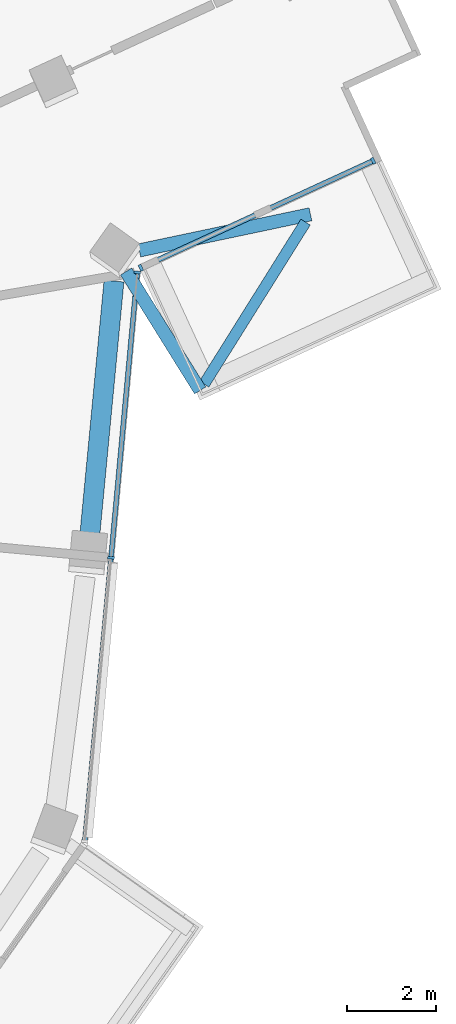
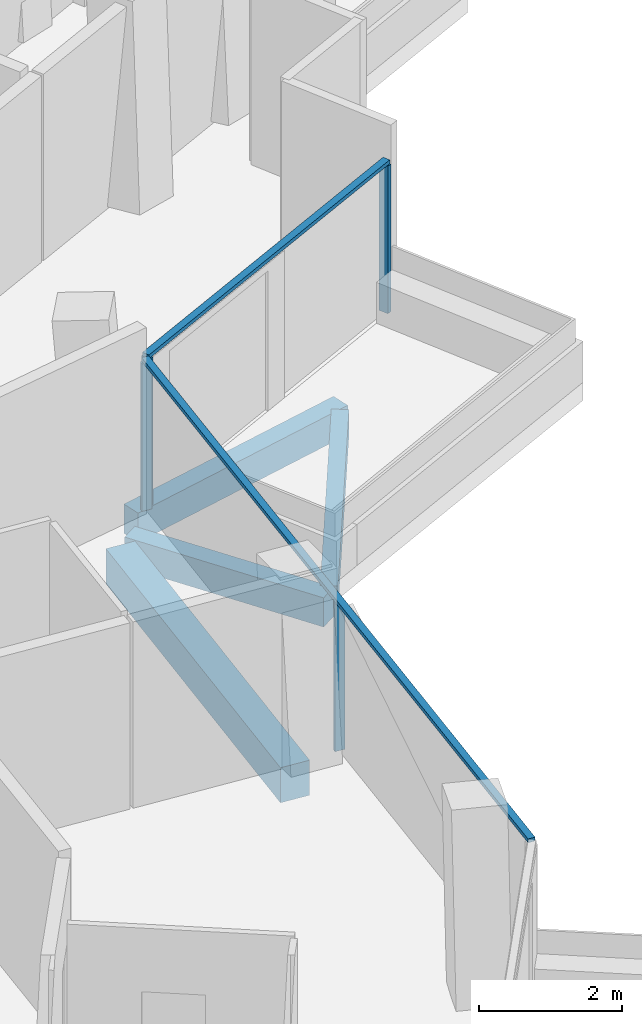
# One storey, part 8 of 23: 6 members, 4 beams, 2 elements without a shape of their own.
"""IFC4 building model written with IfcOpenShell, lengths in metres."""

from ifc_helpers import new_model, si_unit, direction, frame, origin, origin_2d, place, context, subcontext, project, spatial, rectangle, extrude, material, layer, layer_set, material_profile, profile_set, type_object, element, aggregate, save


model = new_model("IFC4")

# Units and contexts
model_context = context("Model", 3, precision=1e-05, world=origin(), true_north=direction((0.0, 1.0)))
body_context = subcontext(model_context, "Body", "Model", "MODEL_VIEW")
ifc_project = project(units=[si_unit("LENGTHUNIT", "METRE"), si_unit("AREAUNIT", "SQUARE_METRE"), si_unit("VOLUMEUNIT", "CUBIC_METRE"), si_unit("PLANEANGLEUNIT", "RADIAN"), si_unit("MASSUNIT", "GRAM", prefix="KILO")], contexts=[model_context])

# Site, building, storey
site_placement = place(None, origin())
site = spatial("IfcSite", under=ifc_project, at=site_placement, CompositionType="ELEMENT")
building_placement = place(site_placement, origin())
building = spatial("IfcBuilding", under=site, at=building_placement, Name="Verdalira Terraces Hotel", CompositionType="ELEMENT")
storey_placement = place(building_placement, frame((0.0, 0.0, 256.0)))
storey = spatial("IfcBuildingStorey", under=building, at=storey_placement, Name="L63", CompositionType="ELEMENT", Elevation=256.0)

# Beams
ifc_material_1 = material(Name="Concrete C40", Category="concrete")
ifc_material_profile_1 = material_profile(ifc_material_1, rectangle(XDim=0.300049, YDim=0.5, at=origin_2d()), Name="RC 300X500")
ifc_profile_set_1 = profile_set([ifc_material_profile_1], Name="Concrete C40")
beam_type_1 = type_object("IfcBeamType", Name="Balcony cantilever beam RC 300X500 C40", PredefinedType="BEAM", material=ifc_profile_set_1)
beam_1_placement = place(storey_placement, frame((24.719971, 4.715088, -0.560059), z_axis=(0.978457874, 0.206446576, 0.0), x_axis=(-0.206446576, 0.978457874, 0.0)))
element("IfcBeam", 1, at=beam_1_placement, inside=storey, type_object=beam_type_1, Name="Balcony cantilever beam R28-1", PredefinedType="BEAM", context=body_context, shape_type="SweptSolid", body=[
    extrude(rectangle(XDim=0.300049, YDim=0.5, at=origin_2d()), origin(), (0.0, 0.0, 1.0), 3.949951),
])
beam_2_placement = place(storey_placement, frame((24.422363, 4.238525, -0.560059), z_axis=(0.528645544, -0.848842676, 0.0), x_axis=(0.848842676, 0.528645544, 0.0)))
element("IfcBeam", 2, at=beam_2_placement, inside=storey, type_object=beam_type_1, Name="Balcony cantilever beam R28-2", PredefinedType="BEAM", context=body_context, shape_type="SweptSolid", body=[
    extrude(rectangle(XDim=0.300049, YDim=0.5, at=origin_2d()), origin(), (0.0, 0.0, 1.0), 3.163574),
])
ifc_material_2 = material(Name="Concrete C40", Category="concrete")
ifc_material_profile_2 = material_profile(ifc_material_2, rectangle(XDim=0.25, YDim=0.449951, at=origin_2d()), Name="RC 250X450")
ifc_profile_set_2 = profile_set([ifc_material_profile_2], Name="Concrete C40")
beam_type_2 = type_object("IfcBeamType", Name="Balcony edge beam RC 250X450 C40", PredefinedType="BEAM", material=ifc_profile_set_2)
beam_3_placement = place(storey_placement, frame((28.474365, 5.354004, -0.534912), z_axis=(-0.530644321, -0.847594599, 0.0), x_axis=(0.847594599, -0.530644321, 0.0)))
element("IfcBeam", 3, at=beam_3_placement, inside=storey, type_object=beam_type_2, Name="Balcony edge beam R28-1", PredefinedType="BEAM", context=body_context, shape_type="SweptSolid", body=[
    extrude(rectangle(XDim=0.25, YDim=0.449951, at=origin_2d()), origin(), (0.0, 0.0, 1.0), 4.317383),
])

# Curtain wall, members
ifc_material_3 = material(Name="Clear glass", Category="glass")
ifc_layer_1 = layer(ifc_material_3, 0.14990234375)
ifc_layer_set_1 = layer_set([ifc_layer_1], Name="CW1 curtain wall")
curtain_wall_type_1 = type_object("IfcCurtainWallType", Name="CW1 curtain wall", PredefinedType="NOTDEFINED", material=ifc_layer_set_1)
curtain_wall_1_placement = place(storey_placement, origin())
curtain_wall_1 = element("IfcCurtainWall", 4, at=curtain_wall_1_placement, inside=storey, type_object=curtain_wall_type_1, Name="CW1 curtain wall L63 edge 27", PredefinedType="NOTDEFINED")
ifc_material_4 = material(Name="Terracotta frame", Category="masonry")
ifc_material_profile_3 = material_profile(ifc_material_4, rectangle(XDim=0.060059, YDim=0.149902, at=origin_2d()), Name="MU 60x150")
ifc_profile_set_3 = profile_set([ifc_material_profile_3], Name="Terracotta frame")
member_type_1 = type_object("IfcMemberType", Name="CW1 mullion 60x150", PredefinedType="MULLION", material=ifc_profile_set_3)
member_1_placement = place(storey_placement, frame((24.080811, -2.225342, 0.0), z_axis=(0.0, 0.0, 1.0), x_axis=(0.092023008, 0.995756881, 0.0)))
member_1 = element("IfcMember", 5, at=member_1_placement, type_object=member_type_1, Name="CW1 mullion", PredefinedType="MULLION", context=body_context, shape_type="SweptSolid", body=[
    extrude(rectangle(XDim=0.060059, YDim=0.149902, at=origin_2d()), origin(), (0.0, 0.0, 1.0), 2.524902),
])
member_2_placement = place(storey_placement, frame((24.676025, 4.217041, 0.0), z_axis=(0.0, 0.0, 1.0), x_axis=(0.092023008, 0.995756881, 0.0)))
member_2 = element("IfcMember", 6, at=member_2_placement, type_object=member_type_1, Name="CW1 mullion", PredefinedType="MULLION", context=body_context, shape_type="SweptSolid", body=[
    extrude(rectangle(XDim=0.060059, YDim=0.149902, at=origin_2d()), origin(), (0.0, 0.0, 1.0), 2.524902),
])
ifc_material_5 = material(Name="Terracotta frame", Category="masonry")
ifc_material_profile_4 = material_profile(ifc_material_5, rectangle(XDim=0.110107, YDim=0.064941, at=origin_2d()), Name="TR 65x110")
ifc_profile_set_4 = profile_set([ifc_material_profile_4], Name="Terracotta frame")
member_type_2 = type_object("IfcMemberType", Name="CW1 transom 65x110", PredefinedType="USERDEFINED", material=ifc_profile_set_4)
member_3_placement = place(storey_placement, frame((23.486328, -8.657715, 2.557617), z_axis=(0.092025263, 0.995756673, 0.0), x_axis=(-0.995756673, 0.092025263, 0.0)))
member_3 = element("IfcMember", 7, at=member_3_placement, type_object=member_type_2, Name="CW1 transom", ObjectType="TRANSOM", PredefinedType="USERDEFINED", context=body_context, shape_type="SweptSolid", body=[
    extrude(rectangle(XDim=0.110107, YDim=0.064941, at=origin_2d()), origin(), (0.0, 0.0, 1.0), 12.959717),
])
aggregate(curtain_wall_1, [member_1, member_2, member_3])

ifc_material_6 = material(Name="Clear glass", Category="glass")
ifc_layer_2 = layer(ifc_material_6, 0.14990234375)
ifc_layer_set_2 = layer_set([ifc_layer_2], Name="CW2 curtain wall")
curtain_wall_type_2 = type_object("IfcCurtainWallType", Name="CW2 curtain wall", PredefinedType="NOTDEFINED", material=ifc_layer_set_2)
curtain_wall_2_placement = place(storey_placement, origin())
curtain_wall_2 = element("IfcCurtainWall", 8, at=curtain_wall_2_placement, inside=storey, type_object=curtain_wall_type_2, Name="CW2 curtain wall L63 edge 28", PredefinedType="NOTDEFINED")
ifc_material_7 = material(Name="Terracotta frame", Category="masonry")
ifc_material_profile_5 = material_profile(ifc_material_7, rectangle(XDim=0.070068, YDim=0.149902, at=origin_2d()), Name="MU 70x150")
ifc_profile_set_5 = profile_set([ifc_material_profile_5], Name="Terracotta frame")
member_type_3 = type_object("IfcMemberType", Name="CW2 mullion 70x150", PredefinedType="MULLION", material=ifc_profile_set_5)
member_4_placement = place(storey_placement, frame((24.753906, 4.322754, 0.0), z_axis=(0.0, 0.0, 1.0), x_axis=(0.908362259, 0.418184178, 0.0)))
member_4 = element("IfcMember", 9, at=member_4_placement, type_object=member_type_3, Name="CW2 mullion", PredefinedType="MULLION", context=body_context, shape_type="SweptSolid", body=[
    extrude(rectangle(XDim=0.070068, YDim=0.149902, at=origin_2d()), origin(), (0.0, 0.0, 1.0), 2.524902),
])
member_5_placement = place(storey_placement, frame((30.000488, 6.738281, 0.0), z_axis=(0.0, 0.0, 1.0), x_axis=(0.908362259, 0.418184178, 0.0)))
member_5 = element("IfcMember", 10, at=member_5_placement, type_object=member_type_3, Name="CW2 mullion", PredefinedType="MULLION", context=body_context, shape_type="SweptSolid", body=[
    extrude(rectangle(XDim=0.070068, YDim=0.149902, at=origin_2d()), origin(), (0.0, 0.0, 1.0), 2.524902),
])
ifc_material_8 = material(Name="Terracotta frame", Category="masonry")
ifc_material_profile_6 = material_profile(ifc_material_8, rectangle(XDim=0.11499, YDim=0.064941, at=origin_2d()), Name="TR 65x115")
ifc_profile_set_6 = profile_set([ifc_material_profile_6], Name="Terracotta frame")
member_type_4 = type_object("IfcMemberType", Name="CW2 transom 65x115", PredefinedType="USERDEFINED", material=ifc_profile_set_6)
member_6_placement = place(storey_placement, frame((24.722168, 4.308105, 2.557617), z_axis=(0.908347696, 0.418215808, 0.0), x_axis=(-0.418215808, 0.908347696, 0.0)))
member_6 = element("IfcMember", 11, at=member_6_placement, type_object=member_type_4, Name="CW2 transom", ObjectType="TRANSOM", PredefinedType="USERDEFINED", context=body_context, shape_type="SweptSolid", body=[
    extrude(rectangle(XDim=0.11499, YDim=0.064941, at=origin_2d()), origin(), (0.0, 0.0, 1.0), 5.845947),
])
aggregate(curtain_wall_2, [member_4, member_5, member_6])

# Beam
ifc_material_9 = material(Name="Concrete C40", Category="concrete")
ifc_material_profile_7 = material_profile(ifc_material_9, rectangle(XDim=0.449951, YDim=0.600098, at=origin_2d()), Name="RC 450X600")
ifc_profile_set_7 = profile_set([ifc_material_profile_7], Name="Concrete C40")
beam_type_3 = type_object("IfcBeamType", Name="Spandrel beam RC 450X600 C40", PredefinedType="SPANDREL", material=ifc_profile_set_7)
beam_4_placement = place(storey_placement, frame((23.5896, -1.842285, -0.610107), z_axis=(0.094920539, 0.995484852, 0.0), x_axis=(-0.995484852, 0.094920539, 0.0)))
element("IfcBeam", 12, at=beam_4_placement, inside=storey, type_object=beam_type_3, Name="Spandrel beam B16", PredefinedType="SPANDREL", context=body_context, shape_type="SweptSolid", body=[
    extrude(rectangle(XDim=0.449951, YDim=0.600098, at=origin_2d()), origin(), (0.0, 0.0, 1.0), 5.892578),
])

save(model, "model.ifc")
